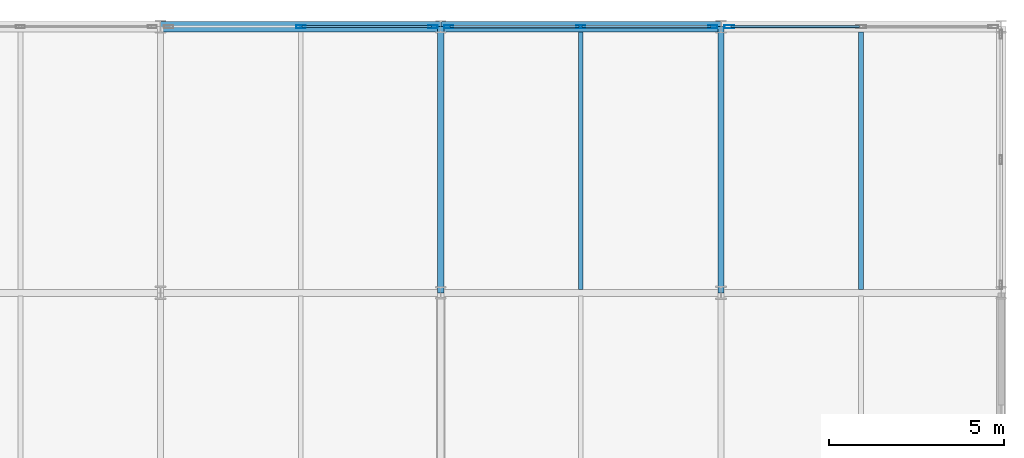
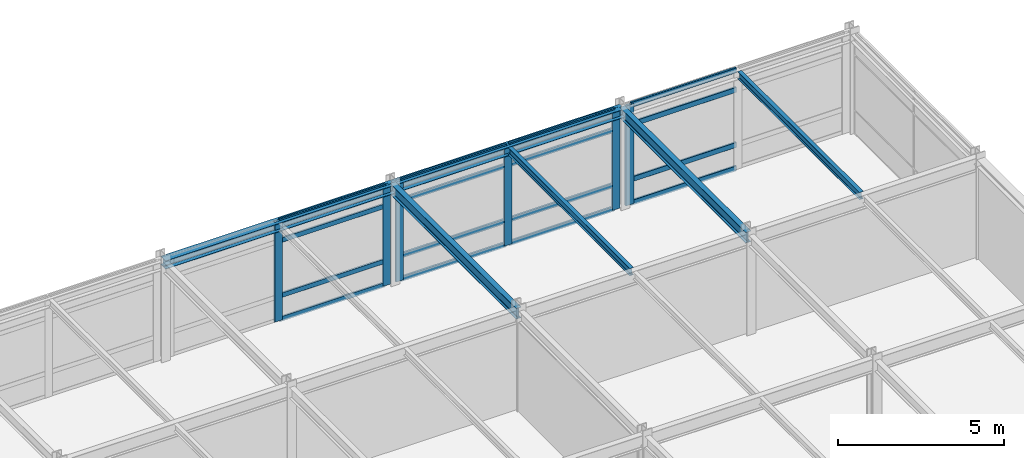
# One storey, part 10 of 16: 22 members, 6 beams, 3 elements without a shape of their own.
"""IFC4 building model written with IfcOpenShell, lengths in metres."""

from ifc_helpers import new_model, si_unit, direction, frame, origin, origin_2d, place, context, subcontext, project, spatial, hollow_rectangle, i_section, extrude, material, layer, layer_set, material_profile, profile_set, type_object, element, aggregate, save


model = new_model("IFC4")

# Units and contexts
model_context = context("Model", 3, precision=1e-05, world=origin(), true_north=direction((0.0, 1.0)))
body_context = subcontext(model_context, "Body", "Model", "MODEL_VIEW")
ifc_project = project(units=[si_unit("LENGTHUNIT", "METRE"), si_unit("AREAUNIT", "SQUARE_METRE"), si_unit("VOLUMEUNIT", "CUBIC_METRE"), si_unit("PLANEANGLEUNIT", "RADIAN"), si_unit("MASSUNIT", "GRAM", prefix="KILO")], contexts=[model_context])

# Site, building, storey
site_placement = place(None, origin())
site = spatial("IfcSite", under=ifc_project, at=site_placement, CompositionType="ELEMENT")
building_placement = place(site_placement, origin())
building = spatial("IfcBuilding", under=site, at=building_placement, Name="Shalkamar Park Central Library", CompositionType="ELEMENT")
storey_placement = place(building_placement, frame((0.0, 0.0, 43.800048828125)))
storey = spatial("IfcBuildingStorey", under=building, at=storey_placement, Name="L11", CompositionType="ELEMENT", Elevation=43.800048828125)

# Beams
ifc_material_1 = material(Name="Steel S355", Category="steel")
ifc_material_profile_1 = material_profile(ifc_material_1, i_section(OverallWidth=0.135009765625, OverallDepth=0.27001953125, WebThickness=0.006591796875, FlangeThickness=0.01025390625, FilletRadius=0.014892578125, at=origin_2d()), Name="IPE 270")
ifc_profile_set_1 = profile_set([ifc_material_profile_1], Name="Steel S355")
beam_type_1 = type_object("IfcBeamType", Name="Composite Floor Joist IPE270", PredefinedType="JOIST", material=ifc_profile_set_1)
for number, where, z_axis, x_axis, name in (
    (1, (209.0, 278.097900390625, 3.544921875), (0.0, 1.0, 0.0), (-1.0, 0.0, 0.0), "Composite Joist 12/F-1 (L11)"),
    (2, (217.0, 278.097900390625, 3.544921875), (0.0, 1.0, 0.0), (-1.0, 0.0, 0.0), "Composite Joist 13/F-1 (L11)"),
):
    element("IfcBeam", number, at=place(storey_placement, frame(where, z_axis=z_axis, x_axis=x_axis)), inside=storey, type_object=beam_type_1, Name=name, PredefinedType="JOIST", context=body_context, shape_type="SweptSolid", body=[
        extrude(i_section(OverallWidth=0.135009765625, OverallDepth=0.27001953125, WebThickness=0.006591796875, FlangeThickness=0.01025390625, FilletRadius=0.014892578125, at=origin_2d()), origin(), (0.0, 0.0, 1.0), 7.35400390625),
    ])

# Curtain wall, members
ifc_material_2 = material(Name="Thermally broken aluminium and triple low-e curtain wall", Category="aluminium")
ifc_layer_1 = layer(ifc_material_2, 0.27001953125)
ifc_layer_set_1 = layer_set([ifc_layer_1], Name="UnitisedCurtainWall_76")
curtain_wall_type_1 = type_object("IfcCurtainWallType", Name="Unitised Curtain Wall 76", PredefinedType="USERDEFINED", material=ifc_layer_set_1)
curtain_wall_1_placement = place(storey_placement, origin())
curtain_wall_1 = element("IfcCurtainWall", 3, at=curtain_wall_1_placement, inside=storey, type_object=curtain_wall_type_1, Name="Unitised Curtain Wall CW-L11-130", ObjectType="UNITISED CURTAIN WALL", PredefinedType="USERDEFINED")
ifc_material_3 = material(Name="Aluminium 6060-T66", Category="aluminium")
ifc_material_profile_2 = material_profile(ifc_material_3, hollow_rectangle(XDim=0.080078125, YDim=0.27001953125, WallThickness=0.0048828125, InnerFilletRadius=0.0048828125, OuterFilletRadius=0.007568359375, at=origin_2d()), Name="ALU 80x270x5")
ifc_profile_set_2 = profile_set([ifc_material_profile_2], Name="Aluminium 6060-T66")
member_type_1 = type_object("IfcMemberType", Name="Curtain Wall Mullion ALU80x270", PredefinedType="MULLION", material=ifc_profile_set_2)
member_1_placement = place(storey_placement, frame((201.00439453125, 285.60009765625, 0.0), z_axis=(0.0, 0.0, 1.0), x_axis=(0.0, 1.0, 0.0)))
member_1 = element("IfcMember", 4, at=member_1_placement, type_object=member_type_1, Name="CW-76 mullion 2", PredefinedType="MULLION", context=body_context, shape_type="SweptSolid", body=[
    extrude(hollow_rectangle(XDim=0.080078125, YDim=0.27001953125, WallThickness=0.0048828125, InnerFilletRadius=0.0048828125, OuterFilletRadius=0.007568359375, at=origin_2d()), origin(), (0.0, 0.0, 1.0), 3.679931640625),
])
member_2_placement = place(storey_placement, frame((204.776611328125, 285.60009765625, 0.0), z_axis=(0.0, 0.0, 1.0), x_axis=(0.0, 1.0, 0.0)))
member_2 = element("IfcMember", 5, at=member_2_placement, type_object=member_type_1, Name="CW-76 mullion 3", PredefinedType="MULLION", context=body_context, shape_type="SweptSolid", body=[
    extrude(hollow_rectangle(XDim=0.080078125, YDim=0.27001953125, WallThickness=0.0048828125, InnerFilletRadius=0.0048828125, OuterFilletRadius=0.007568359375, at=origin_2d()), origin(), (0.0, 0.0, 1.0), 3.679931640625),
])

ifc_layer_2 = layer(ifc_material_2, 0.264892578125)
ifc_layer_set_2 = layer_set([ifc_layer_2], Name="UnitisedCurtainWall_77")
curtain_wall_type_2 = type_object("IfcCurtainWallType", Name="Unitised Curtain Wall 77", PredefinedType="USERDEFINED", material=ifc_layer_set_2)
curtain_wall_2_placement = place(storey_placement, origin())
curtain_wall_2 = element("IfcCurtainWall", 6, at=curtain_wall_2_placement, inside=storey, type_object=curtain_wall_type_2, Name="Unitised Curtain Wall CW-L11-131", ObjectType="UNITISED CURTAIN WALL", PredefinedType="USERDEFINED")
ifc_material_profile_3 = material_profile(ifc_material_3, hollow_rectangle(XDim=0.0849609375, YDim=0.264892578125, WallThickness=0.0048828125, InnerFilletRadius=0.0048828125, OuterFilletRadius=0.007568359375, at=origin_2d()), Name="ALU 85x265x5")
ifc_profile_set_3 = profile_set([ifc_material_profile_3], Name="Aluminium 6060-T66")
member_type_2 = type_object("IfcMemberType", Name="Curtain Wall Mullion ALU85x265", PredefinedType="MULLION", material=ifc_profile_set_3)
member_3_placement = place(storey_placement, frame((205.22607421875, 285.60009765625, 0.0), z_axis=(0.0, 0.0, 1.0), x_axis=(0.0, 1.0, 0.0)))
member_3 = element("IfcMember", 7, at=member_3_placement, type_object=member_type_2, Name="CW-77 mullion 1", PredefinedType="MULLION", context=body_context, shape_type="SweptSolid", body=[
    extrude(hollow_rectangle(XDim=0.0849609375, YDim=0.264892578125, WallThickness=0.0048828125, InnerFilletRadius=0.0048828125, OuterFilletRadius=0.007568359375, at=origin_2d()), origin(), (0.0, 0.0, 1.0), 3.679931640625),
])
member_4_placement = place(storey_placement, frame((208.99560546875, 285.60009765625, 0.0), z_axis=(0.0, 0.0, 1.0), x_axis=(0.0, 1.0, 0.0)))
member_4 = element("IfcMember", 8, at=member_4_placement, type_object=member_type_2, Name="CW-77 mullion 2", PredefinedType="MULLION", context=body_context, shape_type="SweptSolid", body=[
    extrude(hollow_rectangle(XDim=0.0849609375, YDim=0.264892578125, WallThickness=0.0048828125, InnerFilletRadius=0.0048828125, OuterFilletRadius=0.007568359375, at=origin_2d()), origin(), (0.0, 0.0, 1.0), 3.679931640625),
])
member_5_placement = place(storey_placement, frame((212.764892578125, 285.60009765625, 0.0), z_axis=(0.0, 0.0, 1.0), x_axis=(0.0, 1.0, 0.0)))
member_5 = element("IfcMember", 9, at=member_5_placement, type_object=member_type_2, Name="CW-77 mullion 3", PredefinedType="MULLION", context=body_context, shape_type="SweptSolid", body=[
    extrude(hollow_rectangle(XDim=0.0849609375, YDim=0.264892578125, WallThickness=0.0048828125, InnerFilletRadius=0.0048828125, OuterFilletRadius=0.007568359375, at=origin_2d()), origin(), (0.0, 0.0, 1.0), 3.679931640625),
])

# Curtain wall, member
ifc_layer_3 = layer(ifc_material_2, 0.280029296875)
ifc_layer_set_3 = layer_set([ifc_layer_3], Name="UnitisedCurtainWall_78")
curtain_wall_type_3 = type_object("IfcCurtainWallType", Name="Unitised Curtain Wall 78", PredefinedType="USERDEFINED", material=ifc_layer_set_3)
curtain_wall_3_placement = place(storey_placement, origin())
curtain_wall_3 = element("IfcCurtainWall", 10, at=curtain_wall_3_placement, inside=storey, type_object=curtain_wall_type_3, Name="Unitised Curtain Wall CW-L11-132", ObjectType="UNITISED CURTAIN WALL", PredefinedType="USERDEFINED")
ifc_material_profile_4 = material_profile(ifc_material_3, hollow_rectangle(XDim=0.090087890625, YDim=0.280029296875, WallThickness=0.0048828125, InnerFilletRadius=0.0048828125, OuterFilletRadius=0.007568359375, at=origin_2d()), Name="ALU 90x280x5")
ifc_profile_set_4 = profile_set([ifc_material_profile_4], Name="Aluminium 6060-T66")
member_type_3 = type_object("IfcMemberType", Name="Curtain Wall Mullion ALU90x280", PredefinedType="MULLION", material=ifc_profile_set_4)
member_6_placement = place(storey_placement, frame((213.237548828125, 285.60009765625, 0.0), z_axis=(0.0, 0.0, 1.0), x_axis=(0.0, 1.0, 0.0)))
member_6 = element("IfcMember", 11, at=member_6_placement, type_object=member_type_3, Name="CW-78 mullion 1", PredefinedType="MULLION", context=body_context, shape_type="SweptSolid", body=[
    extrude(hollow_rectangle(XDim=0.090087890625, YDim=0.280029296875, WallThickness=0.0048828125, InnerFilletRadius=0.0048828125, OuterFilletRadius=0.007568359375, at=origin_2d()), origin(), (0.0, 0.0, 1.0), 3.679931640625),
])

# Member
ifc_material_profile_5 = material_profile(ifc_material_3, hollow_rectangle(XDim=0.06494140625, YDim=0.175048828125, WallThickness=0.00439453125, InnerFilletRadius=0.00439453125, OuterFilletRadius=0.0068359375, at=origin_2d()), Name="ALU 65x175x4.5")
ifc_profile_set_5 = profile_set([ifc_material_profile_5], Name="Aluminium 6060-T66")
member_type_4 = type_object("IfcMemberType", Name="Curtain Wall Transom ALU65x175", PredefinedType="USERDEFINED", material=ifc_profile_set_5)
member_7_placement = place(storey_placement, frame((201.04443359375, 285.60009765625, 0.032470703125), z_axis=(1.0, 0.0, 0.0), x_axis=(0.0, 1.0, 0.0)))
member_7 = element("IfcMember", 12, at=member_7_placement, type_object=member_type_4, Name="CW-76 transom 2.1", ObjectType="TRANSOM", PredefinedType="USERDEFINED", context=body_context, shape_type="SweptSolid", body=[
    extrude(hollow_rectangle(XDim=0.06494140625, YDim=0.175048828125, WallThickness=0.00439453125, InnerFilletRadius=0.00439453125, OuterFilletRadius=0.0068359375, at=origin_2d()), origin(), (0.0, 0.0, 1.0), 3.692138671875),
])

member_8_placement = place(storey_placement, frame((201.04443359375, 285.60009765625, 0.89990234375), z_axis=(1.0, 0.0, 0.0), x_axis=(0.0, 1.0, 0.0)))
member_8 = element("IfcMember", 13, at=member_8_placement, type_object=member_type_4, Name="CW-76 transom 2.2", ObjectType="TRANSOM", PredefinedType="USERDEFINED", context=body_context, shape_type="SweptSolid", body=[
    extrude(hollow_rectangle(XDim=0.06494140625, YDim=0.175048828125, WallThickness=0.00439453125, InnerFilletRadius=0.00439453125, OuterFilletRadius=0.0068359375, at=origin_2d()), origin(), (0.0, 0.0, 1.0), 3.692138671875),
])

member_9_placement = place(storey_placement, frame((201.04443359375, 285.60009765625, 2.929931640625), z_axis=(1.0, 0.0, 0.0), x_axis=(0.0, 1.0, 0.0)))
member_9 = element("IfcMember", 14, at=member_9_placement, type_object=member_type_4, Name="CW-76 transom 2.3", ObjectType="TRANSOM", PredefinedType="USERDEFINED", context=body_context, shape_type="SweptSolid", body=[
    extrude(hollow_rectangle(XDim=0.06494140625, YDim=0.175048828125, WallThickness=0.00439453125, InnerFilletRadius=0.00439453125, OuterFilletRadius=0.0068359375, at=origin_2d()), origin(), (0.0, 0.0, 1.0), 3.692138671875),
])

member_10_placement = place(storey_placement, frame((201.04443359375, 285.60009765625, 3.6474609375), z_axis=(1.0, 0.0, 0.0), x_axis=(0.0, 1.0, 0.0)))
member_10 = element("IfcMember", 15, at=member_10_placement, type_object=member_type_4, Name="CW-76 transom 2.4", ObjectType="TRANSOM", PredefinedType="USERDEFINED", context=body_context, shape_type="SweptSolid", body=[
    extrude(hollow_rectangle(XDim=0.06494140625, YDim=0.175048828125, WallThickness=0.00439453125, InnerFilletRadius=0.00439453125, OuterFilletRadius=0.0068359375, at=origin_2d()), origin(), (0.0, 0.0, 1.0), 3.692138671875),
])

aggregate(curtain_wall_1, [member_1, member_2, member_7, member_8, member_9, member_10])

ifc_material_profile_6 = material_profile(ifc_material_3, hollow_rectangle(XDim=0.070068359375, YDim=0.179931640625, WallThickness=0.00439453125, InnerFilletRadius=0.00439453125, OuterFilletRadius=0.0068359375, at=origin_2d()), Name="ALU 70x180x4.5")
ifc_profile_set_6 = profile_set([ifc_material_profile_6], Name="Aluminium 6060-T66")
member_type_5 = type_object("IfcMemberType", Name="Curtain Wall Transom ALU70x180", PredefinedType="USERDEFINED", material=ifc_profile_set_6)
member_11_placement = place(storey_placement, frame((205.2685546875, 285.60009765625, 0.034912109375), z_axis=(1.0, 0.0, 0.0), x_axis=(0.0, 1.0, 0.0)))
member_11 = element("IfcMember", 16, at=member_11_placement, type_object=member_type_5, Name="CW-77 transom 1.1", ObjectType="TRANSOM", PredefinedType="USERDEFINED", context=body_context, shape_type="SweptSolid", body=[
    extrude(hollow_rectangle(XDim=0.070068359375, YDim=0.179931640625, WallThickness=0.00439453125, InnerFilletRadius=0.00439453125, OuterFilletRadius=0.0068359375, at=origin_2d()), origin(), (0.0, 0.0, 1.0), 3.684326171875),
])

member_12_placement = place(storey_placement, frame((205.2685546875, 285.60009765625, 0.89990234375), z_axis=(1.0, 0.0, 0.0), x_axis=(0.0, 1.0, 0.0)))
member_12 = element("IfcMember", 17, at=member_12_placement, type_object=member_type_5, Name="CW-77 transom 1.2", ObjectType="TRANSOM", PredefinedType="USERDEFINED", context=body_context, shape_type="SweptSolid", body=[
    extrude(hollow_rectangle(XDim=0.070068359375, YDim=0.179931640625, WallThickness=0.00439453125, InnerFilletRadius=0.00439453125, OuterFilletRadius=0.0068359375, at=origin_2d()), origin(), (0.0, 0.0, 1.0), 3.684326171875),
])

member_13_placement = place(storey_placement, frame((205.2685546875, 285.60009765625, 2.929931640625), z_axis=(1.0, 0.0, 0.0), x_axis=(0.0, 1.0, 0.0)))
member_13 = element("IfcMember", 18, at=member_13_placement, type_object=member_type_5, Name="CW-77 transom 1.3", ObjectType="TRANSOM", PredefinedType="USERDEFINED", context=body_context, shape_type="SweptSolid", body=[
    extrude(hollow_rectangle(XDim=0.070068359375, YDim=0.179931640625, WallThickness=0.00439453125, InnerFilletRadius=0.00439453125, OuterFilletRadius=0.0068359375, at=origin_2d()), origin(), (0.0, 0.0, 1.0), 3.684326171875),
])

member_14_placement = place(storey_placement, frame((205.2685546875, 285.60009765625, 3.64501953125), z_axis=(1.0, 0.0, 0.0), x_axis=(0.0, 1.0, 0.0)))
member_14 = element("IfcMember", 19, at=member_14_placement, type_object=member_type_5, Name="CW-77 transom 1.4", ObjectType="TRANSOM", PredefinedType="USERDEFINED", context=body_context, shape_type="SweptSolid", body=[
    extrude(hollow_rectangle(XDim=0.070068359375, YDim=0.179931640625, WallThickness=0.00439453125, InnerFilletRadius=0.00439453125, OuterFilletRadius=0.0068359375, at=origin_2d()), origin(), (0.0, 0.0, 1.0), 3.684326171875),
])

member_15_placement = place(storey_placement, frame((209.0380859375, 285.60009765625, 0.034912109375), z_axis=(1.0, 0.0, 0.0), x_axis=(0.0, 1.0, 0.0)))
member_15 = element("IfcMember", 20, at=member_15_placement, type_object=member_type_5, Name="CW-77 transom 2.1", ObjectType="TRANSOM", PredefinedType="USERDEFINED", context=body_context, shape_type="SweptSolid", body=[
    extrude(hollow_rectangle(XDim=0.070068359375, YDim=0.179931640625, WallThickness=0.00439453125, InnerFilletRadius=0.00439453125, OuterFilletRadius=0.0068359375, at=origin_2d()), origin(), (0.0, 0.0, 1.0), 3.684326171875),
])

member_16_placement = place(storey_placement, frame((209.0380859375, 285.60009765625, 0.89990234375), z_axis=(1.0, 0.0, 0.0), x_axis=(0.0, 1.0, 0.0)))
member_16 = element("IfcMember", 21, at=member_16_placement, type_object=member_type_5, Name="CW-77 transom 2.2", ObjectType="TRANSOM", PredefinedType="USERDEFINED", context=body_context, shape_type="SweptSolid", body=[
    extrude(hollow_rectangle(XDim=0.070068359375, YDim=0.179931640625, WallThickness=0.00439453125, InnerFilletRadius=0.00439453125, OuterFilletRadius=0.0068359375, at=origin_2d()), origin(), (0.0, 0.0, 1.0), 3.684326171875),
])

member_17_placement = place(storey_placement, frame((209.0380859375, 285.60009765625, 2.929931640625), z_axis=(1.0, 0.0, 0.0), x_axis=(0.0, 1.0, 0.0)))
member_17 = element("IfcMember", 22, at=member_17_placement, type_object=member_type_5, Name="CW-77 transom 2.3", ObjectType="TRANSOM", PredefinedType="USERDEFINED", context=body_context, shape_type="SweptSolid", body=[
    extrude(hollow_rectangle(XDim=0.070068359375, YDim=0.179931640625, WallThickness=0.00439453125, InnerFilletRadius=0.00439453125, OuterFilletRadius=0.0068359375, at=origin_2d()), origin(), (0.0, 0.0, 1.0), 3.684326171875),
])

member_18_placement = place(storey_placement, frame((209.0380859375, 285.60009765625, 3.64501953125), z_axis=(1.0, 0.0, 0.0), x_axis=(0.0, 1.0, 0.0)))
member_18 = element("IfcMember", 23, at=member_18_placement, type_object=member_type_5, Name="CW-77 transom 2.4", ObjectType="TRANSOM", PredefinedType="USERDEFINED", context=body_context, shape_type="SweptSolid", body=[
    extrude(hollow_rectangle(XDim=0.070068359375, YDim=0.179931640625, WallThickness=0.00439453125, InnerFilletRadius=0.00439453125, OuterFilletRadius=0.0068359375, at=origin_2d()), origin(), (0.0, 0.0, 1.0), 3.684326171875),
])

aggregate(curtain_wall_2, [member_3, member_4, member_5, member_11, member_12, member_13, member_14, member_15, member_16, member_17, member_18])

ifc_material_profile_7 = material_profile(ifc_material_3, hollow_rectangle(XDim=0.070068359375, YDim=0.18994140625, WallThickness=0.0048828125, InnerFilletRadius=0.0048828125, OuterFilletRadius=0.007568359375, at=origin_2d()), Name="ALU 70x190x5")
ifc_profile_set_7 = profile_set([ifc_material_profile_7], Name="Aluminium 6060-T66")
member_type_6 = type_object("IfcMemberType", Name="Curtain Wall Transom ALU70x190", PredefinedType="USERDEFINED", material=ifc_profile_set_7)
member_19_placement = place(storey_placement, frame((213.282470703125, 285.60009765625, 0.034912109375), z_axis=(1.0, 0.0, 0.0), x_axis=(0.0, 1.0, 0.0)))
member_19 = element("IfcMember", 24, at=member_19_placement, type_object=member_type_6, Name="CW-78 transom 1.1", ObjectType="TRANSOM", PredefinedType="USERDEFINED", context=body_context, shape_type="SweptSolid", body=[
    extrude(hollow_rectangle(XDim=0.070068359375, YDim=0.18994140625, WallThickness=0.0048828125, InnerFilletRadius=0.0048828125, OuterFilletRadius=0.007568359375, at=origin_2d()), origin(), (0.0, 0.0, 1.0), 3.677001953125),
])

member_20_placement = place(storey_placement, frame((213.282470703125, 285.60009765625, 0.89990234375), z_axis=(1.0, 0.0, 0.0), x_axis=(0.0, 1.0, 0.0)))
member_20 = element("IfcMember", 25, at=member_20_placement, type_object=member_type_6, Name="CW-78 transom 1.2", ObjectType="TRANSOM", PredefinedType="USERDEFINED", context=body_context, shape_type="SweptSolid", body=[
    extrude(hollow_rectangle(XDim=0.070068359375, YDim=0.18994140625, WallThickness=0.0048828125, InnerFilletRadius=0.0048828125, OuterFilletRadius=0.007568359375, at=origin_2d()), origin(), (0.0, 0.0, 1.0), 3.677001953125),
])

member_21_placement = place(storey_placement, frame((213.282470703125, 285.60009765625, 2.929931640625), z_axis=(1.0, 0.0, 0.0), x_axis=(0.0, 1.0, 0.0)))
member_21 = element("IfcMember", 26, at=member_21_placement, type_object=member_type_6, Name="CW-78 transom 1.3", ObjectType="TRANSOM", PredefinedType="USERDEFINED", context=body_context, shape_type="SweptSolid", body=[
    extrude(hollow_rectangle(XDim=0.070068359375, YDim=0.18994140625, WallThickness=0.0048828125, InnerFilletRadius=0.0048828125, OuterFilletRadius=0.007568359375, at=origin_2d()), origin(), (0.0, 0.0, 1.0), 3.677001953125),
])

member_22_placement = place(storey_placement, frame((213.282470703125, 285.60009765625, 3.64501953125), z_axis=(1.0, 0.0, 0.0), x_axis=(0.0, 1.0, 0.0)))
member_22 = element("IfcMember", 27, at=member_22_placement, type_object=member_type_6, Name="CW-78 transom 1.4", ObjectType="TRANSOM", PredefinedType="USERDEFINED", context=body_context, shape_type="SweptSolid", body=[
    extrude(hollow_rectangle(XDim=0.070068359375, YDim=0.18994140625, WallThickness=0.0048828125, InnerFilletRadius=0.0048828125, OuterFilletRadius=0.007568359375, at=origin_2d()), origin(), (0.0, 0.0, 1.0), 3.677001953125),
])

aggregate(curtain_wall_3, [member_6, member_19, member_20, member_21, member_22])

# Beams
ifc_material_profile_8 = material_profile(ifc_material_1, i_section(OverallWidth=0.300048828125, OverallDepth=0.31005859375, WebThickness=0.009033203125, FlangeThickness=0.015380859375, FilletRadius=0.027099609375, at=origin_2d()), Name="HEA 320")
ifc_profile_set_8 = profile_set([ifc_material_profile_8], Name="Steel S355")
beam_type_2 = type_object("IfcBeamType", Name="Perimeter Spandrel Beam HEA320", PredefinedType="SPANDREL", material=ifc_profile_set_8)
for number, where, z_axis, x_axis, name in (
    (28, (197.0, 285.60009765625, 3.52490234375), (1.0, 0.0, 0.0), (0.0, 1.0, 0.0), "Beam G:11-12 (L11)"),
    (29, (205.0, 285.60009765625, 3.52490234375), (1.0, 0.0, 0.0), (0.0, 1.0, 0.0), "Beam G:12-13 (L11)"),
):
    element("IfcBeam", number, at=place(storey_placement, frame(where, z_axis=z_axis, x_axis=x_axis)), inside=storey, type_object=beam_type_2, Name=name, PredefinedType="SPANDREL", context=body_context, shape_type="SweptSolid", body=[
        extrude(i_section(OverallWidth=0.300048828125, OverallDepth=0.31005859375, WebThickness=0.009033203125, FlangeThickness=0.015380859375, FilletRadius=0.027099609375, at=origin_2d()), origin(), (0.0, 0.0, 1.0), 8.0),
    ])
ifc_material_profile_9 = material_profile(ifc_material_1, i_section(OverallWidth=0.179931640625, OverallDepth=0.39990234375, WebThickness=0.008544921875, FlangeThickness=0.013427734375, FilletRadius=0.02099609375, at=origin_2d()), Name="IPE 400")
ifc_profile_set_9 = profile_set([ifc_material_profile_9], Name="Steel S355")
beam_type_3 = type_object("IfcBeamType", Name="Primary Girder IPE400", PredefinedType="BEAM", material=ifc_profile_set_9)
for number, where, z_axis, x_axis, name in (
    (30, (205.0, 278.0, 3.47998046875), (0.0, 1.0, 0.0), (-1.0, 0.0, 0.0), "Beam 12:F-G (L11)"),
    (31, (213.0, 278.0, 3.47998046875), (0.0, 1.0, 0.0), (-1.0, 0.0, 0.0), "Beam 13:F-G (L11)"),
):
    element("IfcBeam", number, at=place(storey_placement, frame(where, z_axis=z_axis, x_axis=x_axis)), inside=storey, type_object=beam_type_3, Name=name, PredefinedType="BEAM", context=body_context, shape_type="SweptSolid", body=[
        extrude(i_section(OverallWidth=0.179931640625, OverallDepth=0.39990234375, WebThickness=0.008544921875, FlangeThickness=0.013427734375, FilletRadius=0.02099609375, at=origin_2d()), origin(), (0.0, 0.0, 1.0), 7.60009765625),
    ])

save(model, "model.ifc")
